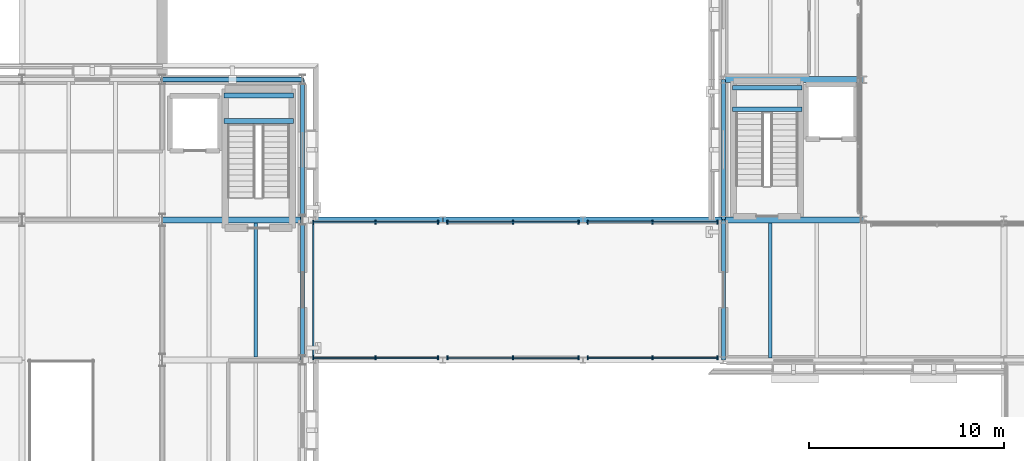
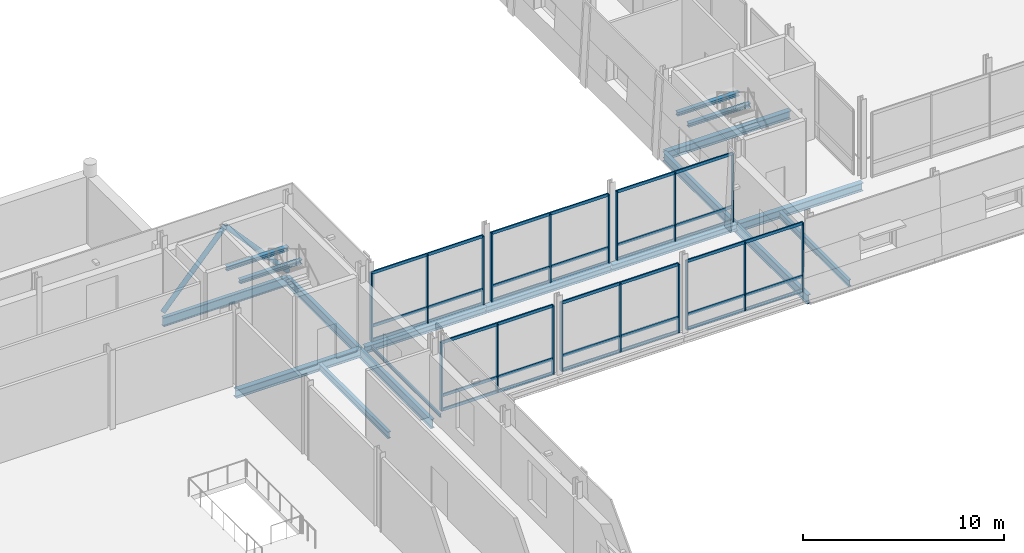
# One storey, part 36 of 121: 38 members, 18 beams, 6 elements without a shape of their own.
"""IFC4 building model written with IfcOpenShell, lengths in metres."""

from ifc_helpers import new_model, si_unit, direction, frame, origin, origin_2d, place, context, subcontext, project, spatial, rectangle, hollow_circle, i_section, extrude, material, layer, layer_set, material_profile, profile_set, type_object, element, aggregate, save


model = new_model("IFC4")

# Units and contexts
model_context = context("Model", 3, precision=1e-05, world=origin(), true_north=direction((0.0, 1.0)))
body_context = subcontext(model_context, "Body", "Model", "MODEL_VIEW")
ifc_project = project(units=[si_unit("LENGTHUNIT", "METRE"), si_unit("AREAUNIT", "SQUARE_METRE"), si_unit("VOLUMEUNIT", "CUBIC_METRE"), si_unit("PLANEANGLEUNIT", "RADIAN"), si_unit("MASSUNIT", "GRAM", prefix="KILO")], contexts=[model_context])

# Site, building, storey
site_placement = place(None, origin())
site = spatial("IfcSite", under=ifc_project, at=site_placement, CompositionType="ELEMENT")
building_placement = place(site_placement, origin())
building = spatial("IfcBuilding", under=site, at=building_placement, Name="Narikvali Park Central Library", CompositionType="ELEMENT")
storey_placement = place(building_placement, frame((0.0, 0.0, 5.39990234375)))
storey = spatial("IfcBuildingStorey", under=building, at=storey_placement, Name="L01", CompositionType="ELEMENT", Elevation=5.39990234375)

# Beams
ifc_material_1 = material(Name="Steel S355", Category="steel")
ifc_material_profile_1 = material_profile(ifc_material_1, i_section(OverallWidth=0.300048828125, OverallDepth=0.389892578125, WebThickness=0.010986328125, FlangeThickness=0.01904296875, FilletRadius=0.027099609375, at=origin_2d()), Name="HEA 400")
ifc_profile_set_1 = profile_set([ifc_material_profile_1], Name="Steel S355")
beam_type_1 = type_object("IfcBeamType", Name="Colonnade Bridge Girder HEA400", PredefinedType="BEAM", material=ifc_profile_set_1)
beam_1_placement = place(storey_placement, frame((101.02001953125, 86.39990234375, -0.44482421875), z_axis=(1.0, 0.0, 0.0), x_axis=(0.0, 1.0, 0.0)))
element("IfcBeam", 1, at=beam_1_placement, inside=storey, type_object=beam_type_1, Name="BRG-3 L01 Sliding Bridge Girder 2-1", PredefinedType="BEAM", context=body_context, shape_type="SweptSolid", body=[
    extrude(i_section(OverallWidth=0.300048828125, OverallDepth=0.389892578125, WebThickness=0.010986328125, FlangeThickness=0.01904296875, FilletRadius=0.027099609375, at=origin_2d()), origin(), (0.0, 0.0, 1.0), 6.969970703125),
])
for number, where, z_axis, x_axis, name in (
    (2, (108.010009765625, 86.39990234375, -0.44482421875), (1.0, 0.0, 0.0), (0.0, 1.0, 0.0), "BRG-3 L01 Sliding Bridge Girder 2-2"),
    (3, (115.2099609375, 86.39990234375, -0.44482421875), (1.0, 0.0, 0.0), (0.0, 1.0, 0.0), "BRG-3 L01 Sliding Bridge Girder 2-3"),
):
    element("IfcBeam", number, at=place(storey_placement, frame(where, z_axis=z_axis, x_axis=x_axis)), inside=storey, type_object=beam_type_1, Name=name, PredefinedType="BEAM", context=body_context, shape_type="SweptSolid", body=[
        extrude(i_section(OverallWidth=0.300048828125, OverallDepth=0.389892578125, WebThickness=0.010986328125, FlangeThickness=0.01904296875, FilletRadius=0.027099609375, at=origin_2d()), origin(), (0.0, 0.0, 1.0), 7.179931640625),
    ])
ifc_material_profile_2 = material_profile(ifc_material_1, i_section(OverallWidth=0.179931640625, OverallDepth=0.39990234375, WebThickness=0.008544921875, FlangeThickness=0.013427734375, FilletRadius=0.02099609375, at=origin_2d()), Name="IPE 400")
ifc_profile_set_2 = profile_set([ifc_material_profile_2], Name="Steel S355")
beam_type_2 = type_object("IfcBeamType", Name="Composite Floor Joist IPE400", PredefinedType="JOIST", material=ifc_profile_set_2)
beam_2_placement = place(storey_placement, frame((124.800048828125, 79.304931640625, -0.47998046875), z_axis=(0.0, 1.0, 0.0), x_axis=(-1.0, 0.0, 0.0)))
element("IfcBeam", 4, at=beam_2_placement, inside=storey, type_object=beam_type_2, Name="V3 L01 Composite Joist 1", PredefinedType="JOIST", context=body_context, shape_type="SweptSolid", body=[
    extrude(i_section(OverallWidth=0.179931640625, OverallDepth=0.39990234375, WebThickness=0.008544921875, FlangeThickness=0.013427734375, FilletRadius=0.02099609375, at=origin_2d()), origin(), (0.0, 0.0, 1.0), 6.945068359375),
])
ifc_material_profile_3 = material_profile(ifc_material_1, i_section(OverallWidth=0.239990234375, OverallDepth=0.239990234375, WebThickness=0.010009765625, FlangeThickness=0.01708984375, FilletRadius=0.02099609375, at=origin_2d()), Name="HEB 240")
ifc_profile_set_3 = profile_set([ifc_material_profile_3], Name="Steel S355")
beam_type_3 = type_object("IfcBeamType", Name="Core Trimmer Girder HEB240", PredefinedType="BEAM", material=ifc_profile_set_3)
for number, where, z_axis, x_axis, name in (
    (5, (96.77001953125, 91.47509765625, 2.080078125), (1.0, 0.0, 0.0), (0.0, 1.0, 0.0), "ST-02 L01 Landing Trimmer Beam 1-1"),
    (6, (96.77001953125, 92.780029296875, 2.080078125), (1.0, 0.0, 0.0), (0.0, 1.0, 0.0), "ST-02 L01 Landing Trimmer Beam 1-2"),
):
    element("IfcBeam", number, at=place(storey_placement, frame(where, z_axis=z_axis, x_axis=x_axis)), inside=storey, type_object=beam_type_3, Name=name, PredefinedType="BEAM", context=body_context, shape_type="SweptSolid", body=[
        extrude(i_section(OverallWidth=0.239990234375, OverallDepth=0.239990234375, WebThickness=0.010009765625, FlangeThickness=0.01708984375, FilletRadius=0.02099609375, at=origin_2d()), origin(), (0.0, 0.0, 1.0), 3.56005859375),
    ])

# Curtain wall, members
ifc_material_2 = material(Name="Anodised Bronze Aluminium", Category="aluminium")
ifc_layer = layer(ifc_material_2, 0.219970703125, Name="Anodised Bronze Aluminium")
ifc_layer_set = layer_set([ifc_layer], Name="Anodised Bronze Aluminium")
curtain_wall_type = type_object("IfcCurtainWallType", Name="Bridge Covered Passage Glazing System", PredefinedType="NOTDEFINED", material=ifc_layer_set)
curtain_wall_1_placement = place(storey_placement, origin())
curtain_wall_1 = element("IfcCurtainWall", 7, at=curtain_wall_1_placement, inside=storey, type_object=curtain_wall_type, Name="Bridge Covered Passage Glazing System CW-BRG-3-L01-S1", PredefinedType="NOTDEFINED")
ifc_material_profile_4 = material_profile(ifc_material_2, rectangle(XDim=0.074951171875, YDim=0.179931640625, at=origin_2d()), Name="CW TRANSOM 75x180")
ifc_profile_set_4 = profile_set([ifc_material_profile_4], Name="Anodised Bronze Aluminium")
member_type_1 = type_object("IfcMemberType", Name="Curtain Wall Heavy Transom 75x180", PredefinedType="USERDEFINED", material=ifc_profile_set_4)
member_1_placement = place(storey_placement, frame((101.35009765625, 79.320068359375, 0.030029296875), z_axis=(1.0, 0.0, 0.0), x_axis=(0.0, 1.0, 0.0)))
member_1 = element("IfcMember", 8, at=member_1_placement, type_object=member_type_1, Name="CW-BRG-3-L01-S1 Transom 00", ObjectType="TRANSOM", PredefinedType="USERDEFINED", context=body_context, shape_type="SweptSolid", body=[
    extrude(rectangle(XDim=0.074951171875, YDim=0.179931640625, at=origin_2d()), origin(), (0.0, 0.0, 1.0), 6.409912109375),
])
member_2_placement = place(storey_placement, frame((101.35009765625, 79.320068359375, 0.900146484375), z_axis=(1.0, 0.0, 0.0), x_axis=(0.0, 1.0, 0.0)))
member_2 = element("IfcMember", 9, at=member_2_placement, type_object=member_type_1, Name="CW-BRG-3-L01-S1 Transom 01", ObjectType="TRANSOM", PredefinedType="USERDEFINED", context=body_context, shape_type="SweptSolid", body=[
    extrude(rectangle(XDim=0.074951171875, YDim=0.179931640625, at=origin_2d()), origin(), (0.0, 0.0, 1.0), 6.409912109375),
])
member_3_placement = place(storey_placement, frame((101.35009765625, 79.320068359375, 4.1201171875), z_axis=(1.0, 0.0, 0.0), x_axis=(0.0, 1.0, 0.0)))
member_3 = element("IfcMember", 10, at=member_3_placement, type_object=member_type_1, Name="CW-BRG-3-L01-S1 Transom 02", ObjectType="TRANSOM", PredefinedType="USERDEFINED", context=body_context, shape_type="SweptSolid", body=[
    extrude(rectangle(XDim=0.074951171875, YDim=0.179931640625, at=origin_2d()), origin(), (0.0, 0.0, 1.0), 6.409912109375),
])

curtain_wall_2_placement = place(storey_placement, origin())
curtain_wall_2 = element("IfcCurtainWall", 11, at=curtain_wall_2_placement, inside=storey, type_object=curtain_wall_type, Name="Bridge Covered Passage Glazing System CW-BRG-3-L01-N1", PredefinedType="NOTDEFINED")
member_4_placement = place(storey_placement, frame((101.35009765625, 86.280029296875, 0.030029296875), z_axis=(1.0, 0.0, 0.0), x_axis=(0.0, 1.0, 0.0)))
member_4 = element("IfcMember", 12, at=member_4_placement, type_object=member_type_1, Name="CW-BRG-3-L01-N1 Transom 00", ObjectType="TRANSOM", PredefinedType="USERDEFINED", context=body_context, shape_type="SweptSolid", body=[
    extrude(rectangle(XDim=0.074951171875, YDim=0.179931640625, at=origin_2d()), origin(), (0.0, 0.0, 1.0), 6.409912109375),
])
member_5_placement = place(storey_placement, frame((101.35009765625, 86.280029296875, 0.900146484375), z_axis=(1.0, 0.0, 0.0), x_axis=(0.0, 1.0, 0.0)))
member_5 = element("IfcMember", 13, at=member_5_placement, type_object=member_type_1, Name="CW-BRG-3-L01-N1 Transom 01", ObjectType="TRANSOM", PredefinedType="USERDEFINED", context=body_context, shape_type="SweptSolid", body=[
    extrude(rectangle(XDim=0.074951171875, YDim=0.179931640625, at=origin_2d()), origin(), (0.0, 0.0, 1.0), 6.409912109375),
])
member_6_placement = place(storey_placement, frame((101.35009765625, 86.280029296875, 4.1201171875), z_axis=(1.0, 0.0, 0.0), x_axis=(0.0, 1.0, 0.0)))
member_6 = element("IfcMember", 14, at=member_6_placement, type_object=member_type_1, Name="CW-BRG-3-L01-N1 Transom 02", ObjectType="TRANSOM", PredefinedType="USERDEFINED", context=body_context, shape_type="SweptSolid", body=[
    extrude(rectangle(XDim=0.074951171875, YDim=0.179931640625, at=origin_2d()), origin(), (0.0, 0.0, 1.0), 6.409912109375),
])

curtain_wall_3_placement = place(storey_placement, origin())
curtain_wall_3 = element("IfcCurtainWall", 15, at=curtain_wall_3_placement, inside=storey, type_object=curtain_wall_type, Name="Bridge Covered Passage Glazing System CW-BRG-3-L01-S2", PredefinedType="NOTDEFINED")
member_7_placement = place(storey_placement, frame((108.239990234375, 79.320068359375, 0.030029296875), z_axis=(1.0, 0.0, 0.0), x_axis=(0.0, 1.0, 0.0)))
member_7 = element("IfcMember", 16, at=member_7_placement, type_object=member_type_1, Name="CW-BRG-3-L01-S2 Transom 00", ObjectType="TRANSOM", PredefinedType="USERDEFINED", context=body_context, shape_type="SweptSolid", body=[
    extrude(rectangle(XDim=0.074951171875, YDim=0.179931640625, at=origin_2d()), origin(), (0.0, 0.0, 1.0), 6.719970703125),
])
member_8_placement = place(storey_placement, frame((108.239990234375, 79.320068359375, 0.900146484375), z_axis=(1.0, 0.0, 0.0), x_axis=(0.0, 1.0, 0.0)))
member_8 = element("IfcMember", 17, at=member_8_placement, type_object=member_type_1, Name="CW-BRG-3-L01-S2 Transom 01", ObjectType="TRANSOM", PredefinedType="USERDEFINED", context=body_context, shape_type="SweptSolid", body=[
    extrude(rectangle(XDim=0.074951171875, YDim=0.179931640625, at=origin_2d()), origin(), (0.0, 0.0, 1.0), 6.719970703125),
])
member_9_placement = place(storey_placement, frame((108.239990234375, 79.320068359375, 4.1201171875), z_axis=(1.0, 0.0, 0.0), x_axis=(0.0, 1.0, 0.0)))
member_9 = element("IfcMember", 18, at=member_9_placement, type_object=member_type_1, Name="CW-BRG-3-L01-S2 Transom 02", ObjectType="TRANSOM", PredefinedType="USERDEFINED", context=body_context, shape_type="SweptSolid", body=[
    extrude(rectangle(XDim=0.074951171875, YDim=0.179931640625, at=origin_2d()), origin(), (0.0, 0.0, 1.0), 6.719970703125),
])

curtain_wall_4_placement = place(storey_placement, origin())
curtain_wall_4 = element("IfcCurtainWall", 19, at=curtain_wall_4_placement, inside=storey, type_object=curtain_wall_type, Name="Bridge Covered Passage Glazing System CW-BRG-3-L01-N2", PredefinedType="NOTDEFINED")
member_10_placement = place(storey_placement, frame((108.239990234375, 86.280029296875, 0.030029296875), z_axis=(1.0, 0.0, 0.0), x_axis=(0.0, 1.0, 0.0)))
member_10 = element("IfcMember", 20, at=member_10_placement, type_object=member_type_1, Name="CW-BRG-3-L01-N2 Transom 00", ObjectType="TRANSOM", PredefinedType="USERDEFINED", context=body_context, shape_type="SweptSolid", body=[
    extrude(rectangle(XDim=0.074951171875, YDim=0.179931640625, at=origin_2d()), origin(), (0.0, 0.0, 1.0), 6.719970703125),
])
member_11_placement = place(storey_placement, frame((108.239990234375, 86.280029296875, 0.900146484375), z_axis=(1.0, 0.0, 0.0), x_axis=(0.0, 1.0, 0.0)))
member_11 = element("IfcMember", 21, at=member_11_placement, type_object=member_type_1, Name="CW-BRG-3-L01-N2 Transom 01", ObjectType="TRANSOM", PredefinedType="USERDEFINED", context=body_context, shape_type="SweptSolid", body=[
    extrude(rectangle(XDim=0.074951171875, YDim=0.179931640625, at=origin_2d()), origin(), (0.0, 0.0, 1.0), 6.719970703125),
])
member_12_placement = place(storey_placement, frame((108.239990234375, 86.280029296875, 4.1201171875), z_axis=(1.0, 0.0, 0.0), x_axis=(0.0, 1.0, 0.0)))
member_12 = element("IfcMember", 22, at=member_12_placement, type_object=member_type_1, Name="CW-BRG-3-L01-N2 Transom 02", ObjectType="TRANSOM", PredefinedType="USERDEFINED", context=body_context, shape_type="SweptSolid", body=[
    extrude(rectangle(XDim=0.074951171875, YDim=0.179931640625, at=origin_2d()), origin(), (0.0, 0.0, 1.0), 6.719970703125),
])

curtain_wall_5_placement = place(storey_placement, origin())
curtain_wall_5 = element("IfcCurtainWall", 23, at=curtain_wall_5_placement, inside=storey, type_object=curtain_wall_type, Name="Bridge Covered Passage Glazing System CW-BRG-3-L01-S3", PredefinedType="NOTDEFINED")
member_13_placement = place(storey_placement, frame((115.43994140625, 79.320068359375, 0.030029296875), z_axis=(1.0, 0.0, 0.0), x_axis=(0.0, 1.0, 0.0)))
member_13 = element("IfcMember", 24, at=member_13_placement, type_object=member_type_1, Name="CW-BRG-3-L01-S3 Transom 00", ObjectType="TRANSOM", PredefinedType="USERDEFINED", context=body_context, shape_type="SweptSolid", body=[
    extrude(rectangle(XDim=0.074951171875, YDim=0.179931640625, at=origin_2d()), origin(), (0.0, 0.0, 1.0), 6.66015625),
])
member_14_placement = place(storey_placement, frame((115.43994140625, 79.320068359375, 0.900146484375), z_axis=(1.0, 0.0, 0.0), x_axis=(0.0, 1.0, 0.0)))
member_14 = element("IfcMember", 25, at=member_14_placement, type_object=member_type_1, Name="CW-BRG-3-L01-S3 Transom 01", ObjectType="TRANSOM", PredefinedType="USERDEFINED", context=body_context, shape_type="SweptSolid", body=[
    extrude(rectangle(XDim=0.074951171875, YDim=0.179931640625, at=origin_2d()), origin(), (0.0, 0.0, 1.0), 6.66015625),
])
member_15_placement = place(storey_placement, frame((115.43994140625, 79.320068359375, 4.1201171875), z_axis=(1.0, 0.0, 0.0), x_axis=(0.0, 1.0, 0.0)))
member_15 = element("IfcMember", 26, at=member_15_placement, type_object=member_type_1, Name="CW-BRG-3-L01-S3 Transom 02", ObjectType="TRANSOM", PredefinedType="USERDEFINED", context=body_context, shape_type="SweptSolid", body=[
    extrude(rectangle(XDim=0.074951171875, YDim=0.179931640625, at=origin_2d()), origin(), (0.0, 0.0, 1.0), 6.66015625),
])

curtain_wall_6_placement = place(storey_placement, origin())
curtain_wall_6 = element("IfcCurtainWall", 27, at=curtain_wall_6_placement, inside=storey, type_object=curtain_wall_type, Name="Bridge Covered Passage Glazing System CW-BRG-3-L01-N3", PredefinedType="NOTDEFINED")
member_16_placement = place(storey_placement, frame((115.43994140625, 86.280029296875, 0.030029296875), z_axis=(1.0, 0.0, 0.0), x_axis=(0.0, 1.0, 0.0)))
member_16 = element("IfcMember", 28, at=member_16_placement, type_object=member_type_1, Name="CW-BRG-3-L01-N3 Transom 00", ObjectType="TRANSOM", PredefinedType="USERDEFINED", context=body_context, shape_type="SweptSolid", body=[
    extrude(rectangle(XDim=0.074951171875, YDim=0.179931640625, at=origin_2d()), origin(), (0.0, 0.0, 1.0), 6.66015625),
])
member_17_placement = place(storey_placement, frame((115.43994140625, 86.280029296875, 0.900146484375), z_axis=(1.0, 0.0, 0.0), x_axis=(0.0, 1.0, 0.0)))
member_17 = element("IfcMember", 29, at=member_17_placement, type_object=member_type_1, Name="CW-BRG-3-L01-N3 Transom 01", ObjectType="TRANSOM", PredefinedType="USERDEFINED", context=body_context, shape_type="SweptSolid", body=[
    extrude(rectangle(XDim=0.074951171875, YDim=0.179931640625, at=origin_2d()), origin(), (0.0, 0.0, 1.0), 6.66015625),
])
member_18_placement = place(storey_placement, frame((115.43994140625, 86.280029296875, 4.1201171875), z_axis=(1.0, 0.0, 0.0), x_axis=(0.0, 1.0, 0.0)))
member_18 = element("IfcMember", 30, at=member_18_placement, type_object=member_type_1, Name="CW-BRG-3-L01-N3 Transom 02", ObjectType="TRANSOM", PredefinedType="USERDEFINED", context=body_context, shape_type="SweptSolid", body=[
    extrude(rectangle(XDim=0.074951171875, YDim=0.179931640625, at=origin_2d()), origin(), (0.0, 0.0, 1.0), 6.66015625),
])

# Member
ifc_material_profile_5 = material_profile(ifc_material_2, rectangle(XDim=0.070068359375, YDim=0.199951171875, at=origin_2d()), Name="CW MULLION 70x200")
ifc_profile_set_5 = profile_set([ifc_material_profile_5], Name="Anodised Bronze Aluminium")
member_type_2 = type_object("IfcMemberType", Name="Curtain Wall Mullion 70x200", PredefinedType="MULLION", material=ifc_profile_set_5)
member_19_placement = place(storey_placement, frame((101.35009765625, 79.320068359375, -0.010009765625), z_axis=(0.0, 0.0, 1.0), x_axis=(1.0, 0.0, 0.0)))
member_19 = element("IfcMember", 31, at=member_19_placement, type_object=member_type_2, Name="CW-BRG-3-L01-S1 Mullion 00", PredefinedType="MULLION", context=body_context, shape_type="SweptSolid", body=[
    extrude(rectangle(XDim=0.070068359375, YDim=0.199951171875, at=origin_2d()), origin(), (0.0, 0.0, 1.0), 4.16015625),
])

member_20_placement = place(storey_placement, frame((104.554931640625, 79.320068359375, -0.010009765625), z_axis=(0.0, 0.0, 1.0), x_axis=(1.0, 0.0, 0.0)))
member_20 = element("IfcMember", 32, at=member_20_placement, type_object=member_type_2, Name="CW-BRG-3-L01-S1 Mullion 01", PredefinedType="MULLION", context=body_context, shape_type="SweptSolid", body=[
    extrude(rectangle(XDim=0.070068359375, YDim=0.199951171875, at=origin_2d()), origin(), (0.0, 0.0, 1.0), 4.16015625),
])

member_21_placement = place(storey_placement, frame((107.760009765625, 79.320068359375, -0.010009765625), z_axis=(0.0, 0.0, 1.0), x_axis=(1.0, 0.0, 0.0)))
member_21 = element("IfcMember", 33, at=member_21_placement, type_object=member_type_2, Name="CW-BRG-3-L01-S1 Mullion 02", PredefinedType="MULLION", context=body_context, shape_type="SweptSolid", body=[
    extrude(rectangle(XDim=0.070068359375, YDim=0.199951171875, at=origin_2d()), origin(), (0.0, 0.0, 1.0), 4.16015625),
])

aggregate(curtain_wall_1, [member_19, member_20, member_21, member_1, member_2, member_3])

member_22_placement = place(storey_placement, frame((101.35009765625, 86.280029296875, -0.010009765625), z_axis=(0.0, 0.0, 1.0), x_axis=(1.0, 0.0, 0.0)))
member_22 = element("IfcMember", 34, at=member_22_placement, type_object=member_type_2, Name="CW-BRG-3-L01-N1 Mullion 00", PredefinedType="MULLION", context=body_context, shape_type="SweptSolid", body=[
    extrude(rectangle(XDim=0.070068359375, YDim=0.199951171875, at=origin_2d()), origin(), (0.0, 0.0, 1.0), 4.16015625),
])

member_23_placement = place(storey_placement, frame((104.554931640625, 86.280029296875, -0.010009765625), z_axis=(0.0, 0.0, 1.0), x_axis=(1.0, 0.0, 0.0)))
member_23 = element("IfcMember", 35, at=member_23_placement, type_object=member_type_2, Name="CW-BRG-3-L01-N1 Mullion 01", PredefinedType="MULLION", context=body_context, shape_type="SweptSolid", body=[
    extrude(rectangle(XDim=0.070068359375, YDim=0.199951171875, at=origin_2d()), origin(), (0.0, 0.0, 1.0), 4.16015625),
])

member_24_placement = place(storey_placement, frame((107.760009765625, 86.280029296875, -0.010009765625), z_axis=(0.0, 0.0, 1.0), x_axis=(1.0, 0.0, 0.0)))
member_24 = element("IfcMember", 36, at=member_24_placement, type_object=member_type_2, Name="CW-BRG-3-L01-N1 Mullion 02", PredefinedType="MULLION", context=body_context, shape_type="SweptSolid", body=[
    extrude(rectangle(XDim=0.070068359375, YDim=0.199951171875, at=origin_2d()), origin(), (0.0, 0.0, 1.0), 4.16015625),
])

aggregate(curtain_wall_2, [member_22, member_23, member_24, member_4, member_5, member_6])

member_25_placement = place(storey_placement, frame((108.239990234375, 79.320068359375, -0.010009765625), z_axis=(0.0, 0.0, 1.0), x_axis=(1.0, 0.0, 0.0)))
member_25 = element("IfcMember", 37, at=member_25_placement, type_object=member_type_2, Name="CW-BRG-3-L01-S2 Mullion 00", PredefinedType="MULLION", context=body_context, shape_type="SweptSolid", body=[
    extrude(rectangle(XDim=0.070068359375, YDim=0.199951171875, at=origin_2d()), origin(), (0.0, 0.0, 1.0), 4.16015625),
])

member_26_placement = place(storey_placement, frame((111.60009765625, 79.320068359375, -0.010009765625), z_axis=(0.0, 0.0, 1.0), x_axis=(1.0, 0.0, 0.0)))
member_26 = element("IfcMember", 38, at=member_26_placement, type_object=member_type_2, Name="CW-BRG-3-L01-S2 Mullion 01", PredefinedType="MULLION", context=body_context, shape_type="SweptSolid", body=[
    extrude(rectangle(XDim=0.070068359375, YDim=0.199951171875, at=origin_2d()), origin(), (0.0, 0.0, 1.0), 4.16015625),
])

member_27_placement = place(storey_placement, frame((114.9599609375, 79.320068359375, -0.010009765625), z_axis=(0.0, 0.0, 1.0), x_axis=(1.0, 0.0, 0.0)))
member_27 = element("IfcMember", 39, at=member_27_placement, type_object=member_type_2, Name="CW-BRG-3-L01-S2 Mullion 02", PredefinedType="MULLION", context=body_context, shape_type="SweptSolid", body=[
    extrude(rectangle(XDim=0.070068359375, YDim=0.199951171875, at=origin_2d()), origin(), (0.0, 0.0, 1.0), 4.16015625),
])

aggregate(curtain_wall_3, [member_25, member_26, member_27, member_7, member_8, member_9])

member_28_placement = place(storey_placement, frame((108.239990234375, 86.280029296875, -0.010009765625), z_axis=(0.0, 0.0, 1.0), x_axis=(1.0, 0.0, 0.0)))
member_28 = element("IfcMember", 40, at=member_28_placement, type_object=member_type_2, Name="CW-BRG-3-L01-N2 Mullion 00", PredefinedType="MULLION", context=body_context, shape_type="SweptSolid", body=[
    extrude(rectangle(XDim=0.070068359375, YDim=0.199951171875, at=origin_2d()), origin(), (0.0, 0.0, 1.0), 4.16015625),
])

member_29_placement = place(storey_placement, frame((111.60009765625, 86.280029296875, -0.010009765625), z_axis=(0.0, 0.0, 1.0), x_axis=(1.0, 0.0, 0.0)))
member_29 = element("IfcMember", 41, at=member_29_placement, type_object=member_type_2, Name="CW-BRG-3-L01-N2 Mullion 01", PredefinedType="MULLION", context=body_context, shape_type="SweptSolid", body=[
    extrude(rectangle(XDim=0.070068359375, YDim=0.199951171875, at=origin_2d()), origin(), (0.0, 0.0, 1.0), 4.16015625),
])

member_30_placement = place(storey_placement, frame((114.9599609375, 86.280029296875, -0.010009765625), z_axis=(0.0, 0.0, 1.0), x_axis=(1.0, 0.0, 0.0)))
member_30 = element("IfcMember", 42, at=member_30_placement, type_object=member_type_2, Name="CW-BRG-3-L01-N2 Mullion 02", PredefinedType="MULLION", context=body_context, shape_type="SweptSolid", body=[
    extrude(rectangle(XDim=0.070068359375, YDim=0.199951171875, at=origin_2d()), origin(), (0.0, 0.0, 1.0), 4.16015625),
])

aggregate(curtain_wall_4, [member_28, member_29, member_30, member_10, member_11, member_12])

member_31_placement = place(storey_placement, frame((115.43994140625, 79.320068359375, -0.010009765625), z_axis=(0.0, 0.0, 1.0), x_axis=(1.0, 0.0, 0.0)))
member_31 = element("IfcMember", 43, at=member_31_placement, type_object=member_type_2, Name="CW-BRG-3-L01-S3 Mullion 00", PredefinedType="MULLION", context=body_context, shape_type="SweptSolid", body=[
    extrude(rectangle(XDim=0.070068359375, YDim=0.199951171875, at=origin_2d()), origin(), (0.0, 0.0, 1.0), 4.16015625),
])

member_32_placement = place(storey_placement, frame((118.77001953125, 79.320068359375, -0.010009765625), z_axis=(0.0, 0.0, 1.0), x_axis=(1.0, 0.0, 0.0)))
member_32 = element("IfcMember", 44, at=member_32_placement, type_object=member_type_2, Name="CW-BRG-3-L01-S3 Mullion 01", PredefinedType="MULLION", context=body_context, shape_type="SweptSolid", body=[
    extrude(rectangle(XDim=0.070068359375, YDim=0.199951171875, at=origin_2d()), origin(), (0.0, 0.0, 1.0), 4.16015625),
])

member_33_placement = place(storey_placement, frame((122.10009765625, 79.320068359375, -0.010009765625), z_axis=(0.0, 0.0, 1.0), x_axis=(1.0, 0.0, 0.0)))
member_33 = element("IfcMember", 45, at=member_33_placement, type_object=member_type_2, Name="CW-BRG-3-L01-S3 Mullion 02", PredefinedType="MULLION", context=body_context, shape_type="SweptSolid", body=[
    extrude(rectangle(XDim=0.070068359375, YDim=0.199951171875, at=origin_2d()), origin(), (0.0, 0.0, 1.0), 4.16015625),
])

aggregate(curtain_wall_5, [member_31, member_32, member_33, member_13, member_14, member_15])

member_34_placement = place(storey_placement, frame((115.43994140625, 86.280029296875, -0.010009765625), z_axis=(0.0, 0.0, 1.0), x_axis=(1.0, 0.0, 0.0)))
member_34 = element("IfcMember", 46, at=member_34_placement, type_object=member_type_2, Name="CW-BRG-3-L01-N3 Mullion 00", PredefinedType="MULLION", context=body_context, shape_type="SweptSolid", body=[
    extrude(rectangle(XDim=0.070068359375, YDim=0.199951171875, at=origin_2d()), origin(), (0.0, 0.0, 1.0), 4.16015625),
])

member_35_placement = place(storey_placement, frame((118.77001953125, 86.280029296875, -0.010009765625), z_axis=(0.0, 0.0, 1.0), x_axis=(1.0, 0.0, 0.0)))
member_35 = element("IfcMember", 47, at=member_35_placement, type_object=member_type_2, Name="CW-BRG-3-L01-N3 Mullion 01", PredefinedType="MULLION", context=body_context, shape_type="SweptSolid", body=[
    extrude(rectangle(XDim=0.070068359375, YDim=0.199951171875, at=origin_2d()), origin(), (0.0, 0.0, 1.0), 4.16015625),
])

member_36_placement = place(storey_placement, frame((122.10009765625, 86.280029296875, -0.010009765625), z_axis=(0.0, 0.0, 1.0), x_axis=(1.0, 0.0, 0.0)))
member_36 = element("IfcMember", 48, at=member_36_placement, type_object=member_type_2, Name="CW-BRG-3-L01-N3 Mullion 02", PredefinedType="MULLION", context=body_context, shape_type="SweptSolid", body=[
    extrude(rectangle(XDim=0.070068359375, YDim=0.199951171875, at=origin_2d()), origin(), (0.0, 0.0, 1.0), 4.16015625),
])

aggregate(curtain_wall_6, [member_34, member_35, member_36, member_16, member_17, member_18])

# Beams
ifc_material_profile_6 = material_profile(ifc_material_1, i_section(OverallWidth=0.181884765625, OverallDepth=0.404052734375, WebThickness=0.009765625, FlangeThickness=0.015380859375, FilletRadius=0.02099609375, at=origin_2d()), Name="IPEO 400")
ifc_profile_set_6 = profile_set([ifc_material_profile_6], Name="Steel S355")
beam_type_4 = type_object("IfcBeamType", Name="Gallery Floor Joist IPEO400", PredefinedType="JOIST", material=ifc_profile_set_6)
beam_3_placement = place(storey_placement, frame((98.39990234375, 79.35009765625, -0.48193359375), z_axis=(0.0, 1.0, 0.0), x_axis=(-1.0, 0.0, 0.0)))
element("IfcBeam", 49, at=beam_3_placement, inside=storey, type_object=beam_type_4, Name="V1 L01 Composite Joist 2", PredefinedType="JOIST", context=body_context, shape_type="SweptSolid", body=[
    extrude(i_section(OverallWidth=0.181884765625, OverallDepth=0.404052734375, WebThickness=0.009765625, FlangeThickness=0.015380859375, FilletRadius=0.02099609375, at=origin_2d()), origin(), (0.0, 0.0, 1.0), 6.89990234375),
])
ifc_material_profile_7 = material_profile(ifc_material_1, i_section(OverallWidth=0.2099609375, OverallDepth=0.550048828125, WebThickness=0.010986328125, FlangeThickness=0.01708984375, FilletRadius=0.02392578125, at=origin_2d()), Name="IPE 550")
ifc_profile_set_7 = profile_set([ifc_material_profile_7], Name="Steel S355")
beam_type_5 = type_object("IfcBeamType", Name="Perimeter Spandrel IPE550", PredefinedType="SPANDREL", material=ifc_profile_set_7)
for number, where, z_axis, x_axis, name in (
    (50, (93.60791015625, 93.60009765625, -0.554931640625), (1.0, 0.0, 0.0), (0.0, 1.0, 0.0), "V1 L01 Girder X"),
    (51, (100.800048828125, 79.2080078125, -0.554931640625), (0.0, 1.0, 0.0), (-1.0, 0.0, 0.0), "V1 L01 Girder Y"),
    (52, (100.800048828125, 86.407958984375, -0.554931640625), (0.0, 1.0, 0.0), (-1.0, 0.0, 0.0), "V1 L01 Girder Y"),
    (53, (122.39990234375, 79.2080078125, -0.554931640625), (0.0, 1.0, 0.0), (-1.0, 0.0, 0.0), "V3 L01 Girder Y"),
    (54, (122.39990234375, 86.407958984375, -0.554931640625), (0.0, 1.0, 0.0), (-1.0, 0.0, 0.0), "V3 L01 Girder Y"),
):
    element("IfcBeam", number, at=place(storey_placement, frame(where, z_axis=z_axis, x_axis=x_axis)), inside=storey, type_object=beam_type_5, Name=name, PredefinedType="SPANDREL", context=body_context, shape_type="SweptSolid", body=[
        extrude(i_section(OverallWidth=0.2099609375, OverallDepth=0.550048828125, WebThickness=0.010986328125, FlangeThickness=0.01708984375, FilletRadius=0.02392578125, at=origin_2d()), origin(), (0.0, 0.0, 1.0), 7.18408203125),
    ])
ifc_material_profile_8 = material_profile(ifc_material_1, i_section(OverallWidth=0.10009765625, OverallDepth=0.199951171875, WebThickness=0.005615234375, FlangeThickness=0.008544921875, FilletRadius=0.011962890625, at=origin_2d()), Name="IPE 200")
ifc_profile_set_8 = profile_set([ifc_material_profile_8], Name="Steel S355")
beam_type_6 = type_object("IfcBeamType", Name="Portal Steel Lintel IPE200", PredefinedType="LINTEL", material=ifc_profile_set_8)
beam_4_placement = place(storey_placement, frame((101.35009765625, 79.360107421875, -0.349853515625), z_axis=(0.0, 1.0, 0.0), x_axis=(-1.0, 0.0, 0.0)))
element("IfcBeam", 55, at=beam_4_placement, inside=storey, type_object=beam_type_6, Name="BRG-3 L01 Portal Transverse Lintel", PredefinedType="LINTEL", context=body_context, shape_type="SweptSolid", body=[
    extrude(i_section(OverallWidth=0.10009765625, OverallDepth=0.199951171875, WebThickness=0.005615234375, FlangeThickness=0.008544921875, FilletRadius=0.011962890625, at=origin_2d()), origin(), (0.0, 0.0, 1.0), 6.8798828125),
])
ifc_material_profile_9 = material_profile(ifc_material_1, i_section(OverallWidth=0.239990234375, OverallDepth=0.22998046875, WebThickness=0.007568359375, FlangeThickness=0.011962890625, FilletRadius=0.02099609375, at=origin_2d()), Name="HEA 240")
ifc_profile_set_9 = profile_set([ifc_material_profile_9], Name="Steel S355")
beam_type_7 = type_object("IfcBeamType", Name="Primary Girder HEA240", PredefinedType="BEAM", material=ifc_profile_set_9)
for number, where, z_axis, x_axis, name in (
    (56, (122.8701171875, 92.074951171875, 2.085205078125), (1.0, 0.0, 0.0), (0.0, 1.0, 0.0), "ST-05 L01 Landing Trimmer Beam 1-1"),
    (57, (122.8701171875, 93.179931640625, 2.085205078125), (1.0, 0.0, 0.0), (0.0, 1.0, 0.0), "ST-05 L01 Landing Trimmer Beam 1-2"),
):
    element("IfcBeam", number, at=place(storey_placement, frame(where, z_axis=z_axis, x_axis=x_axis)), inside=storey, type_object=beam_type_7, Name=name, PredefinedType="BEAM", context=body_context, shape_type="SweptSolid", body=[
        extrude(i_section(OverallWidth=0.239990234375, OverallDepth=0.22998046875, WebThickness=0.007568359375, FlangeThickness=0.011962890625, FilletRadius=0.02099609375, at=origin_2d()), origin(), (0.0, 0.0, 1.0), 3.559814453125),
    ])
ifc_material_profile_10 = material_profile(ifc_material_1, i_section(OverallWidth=0.300048828125, OverallDepth=0.489990234375, WebThickness=0.011962890625, FlangeThickness=0.02294921875, FilletRadius=0.027099609375, at=origin_2d()), Name="HEA 500")
ifc_profile_set_10 = profile_set([ifc_material_profile_10], Name="Steel S355")
beam_type_8 = type_object("IfcBeamType", Name="Primary Girder HEA500", PredefinedType="BEAM", material=ifc_profile_set_10)
for number, where, z_axis, x_axis, name in (
    (58, (122.407958984375, 86.39990234375, -0.52490234375), (1.0, 0.0, 0.0), (0.0, 1.0, 0.0), "V3 L01 Girder X"),
    (59, (122.407958984375, 93.60009765625, -0.52490234375), (1.0, 0.0, 0.0), (0.0, 1.0, 0.0), "V3 L01 Girder X"),
):
    element("IfcBeam", number, at=place(storey_placement, frame(where, z_axis=z_axis, x_axis=x_axis)), inside=storey, type_object=beam_type_8, Name=name, PredefinedType="BEAM", context=body_context, shape_type="SweptSolid", body=[
        extrude(i_section(OverallWidth=0.300048828125, OverallDepth=0.489990234375, WebThickness=0.011962890625, FlangeThickness=0.02294921875, FilletRadius=0.027099609375, at=origin_2d()), origin(), (0.0, 0.0, 1.0), 7.18408203125),
    ])
ifc_material_profile_11 = material_profile(ifc_material_1, i_section(OverallWidth=0.300048828125, OverallDepth=0.5, WebThickness=0.014404296875, FlangeThickness=0.028076171875, FilletRadius=0.027099609375, at=origin_2d()), Name="HEB 500")
ifc_profile_set_11 = profile_set([ifc_material_profile_11], Name="Steel S355")
beam_type_9 = type_object("IfcBeamType", Name="Reading Void Girder HEB500", PredefinedType="BEAM", material=ifc_profile_set_11)
beam_5_placement = place(storey_placement, frame((93.60791015625, 86.39990234375, -0.52978515625), z_axis=(1.0, 0.0, 0.0), x_axis=(0.0, 1.0, 0.0)))
element("IfcBeam", 60, at=beam_5_placement, inside=storey, type_object=beam_type_9, Name="V1 L01 Girder X", PredefinedType="BEAM", context=body_context, shape_type="SweptSolid", body=[
    extrude(i_section(OverallWidth=0.300048828125, OverallDepth=0.5, WebThickness=0.014404296875, FlangeThickness=0.028076171875, FilletRadius=0.027099609375, at=origin_2d()), origin(), (0.0, 0.0, 1.0), 7.18408203125),
])

# Members
ifc_material_profile_12 = material_profile(ifc_material_1, hollow_circle(Radius=0.136474609375, WallThickness=0.012451171875, at=origin_2d()), Name="CHS 273x12.5")
ifc_profile_set_12 = profile_set([ifc_material_profile_12], Name="Steel S355")
member_type_3 = type_object("IfcMemberType", Name="Seismic Chevron Brace CHS273", PredefinedType="BRACE", material=ifc_profile_set_12)
for number, where, z_axis, x_axis, name in (
    (61, (93.614990234375, 93.60009765625, 0.01513671875), (0.668818765569, 0.0, 0.743425489759), (0.0, 1.0, 0.0), "V1 L01 Seismic Chevron Brace A"),
    (62, (100.784912109375, 93.60009765625, 0.01513671875), (-0.668818765569, 0.0, 0.743425489759), (0.0, -1.0, 0.0), "V1 L01 Seismic Chevron Brace B"),
):
    element("IfcMember", number, at=place(storey_placement, frame(where, z_axis=z_axis, x_axis=x_axis)), inside=storey, type_object=member_type_3, Name=name, PredefinedType="BRACE", context=body_context, shape_type="SweptSolid", body=[
        extrude(hollow_circle(Radius=0.136474609375, WallThickness=0.012451171875, at=origin_2d()), origin(), (0.0, 0.0, 1.0), 5.360107421875),
    ])

save(model, "model.ifc")
